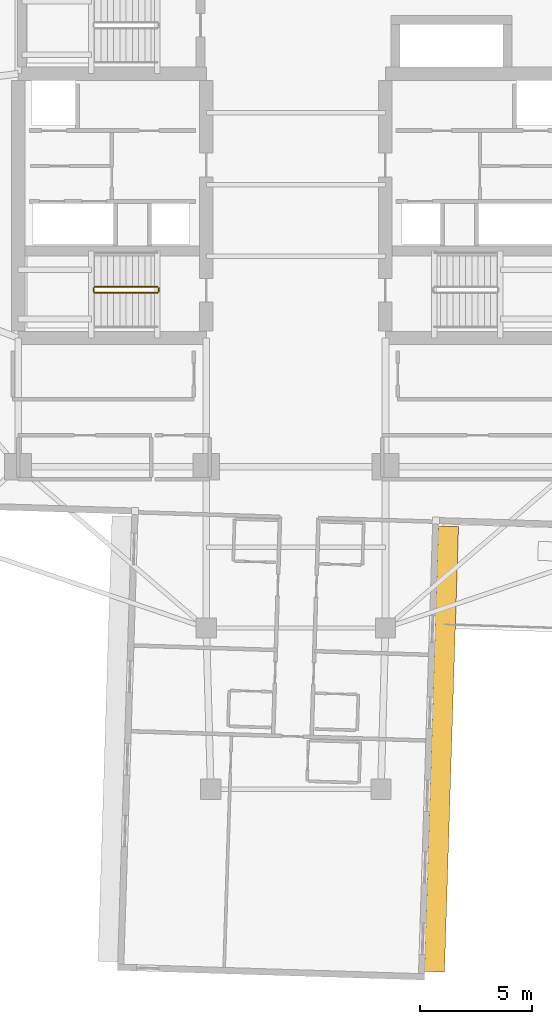
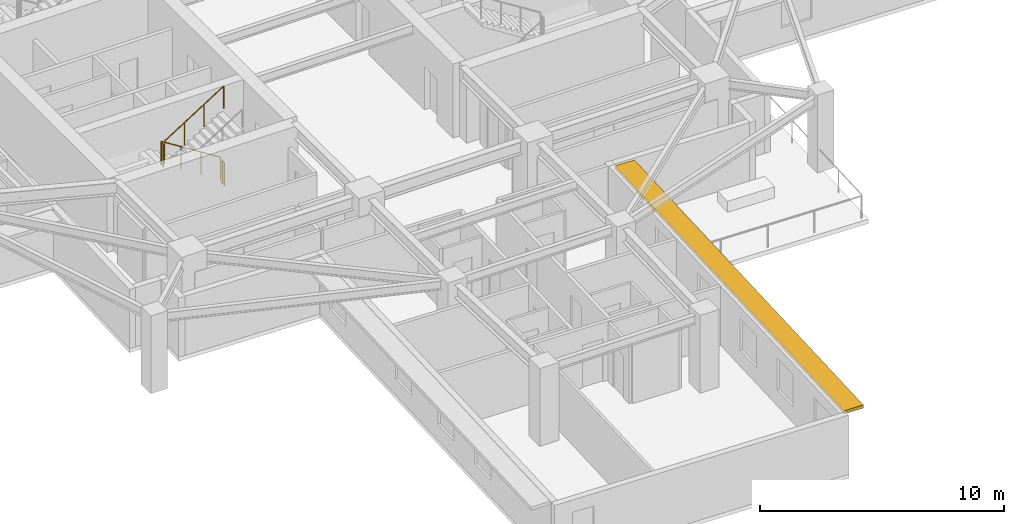
# One storey, part 11 of 14: 4 railings, 1 shading device.
"""IFC4 building model written with IfcOpenShell, lengths in metres."""

from ifc_helpers import new_model, si_unit, direction, frame, origin, origin_2d, place, context, subcontext, project, spatial, rectangle, circle, extrude, material, layer, layer_set, type_object, element, save


model = new_model("IFC4")

# Units and contexts
model_context = context("Model", 3, precision=1e-05, world=origin(), true_north=direction((0.0, 1.0)))
body_context = subcontext(model_context, "Body", "Model", "MODEL_VIEW")
ifc_project = project(units=[si_unit("LENGTHUNIT", "METRE"), si_unit("AREAUNIT", "SQUARE_METRE"), si_unit("VOLUMEUNIT", "CUBIC_METRE"), si_unit("PLANEANGLEUNIT", "RADIAN"), si_unit("MASSUNIT", "GRAM", prefix="KILO")], contexts=[model_context])

# Site, building, storey
site_placement = place(None, origin())
site = spatial("IfcSite", under=ifc_project, at=site_placement, CompositionType="ELEMENT")
building_placement = place(site_placement, origin())
building = spatial("IfcBuilding", under=site, at=building_placement, Name="Qingluan Cross Belvedere", CompositionType="ELEMENT")
storey_placement = place(building_placement, frame((0.0, 0.0, 176.10009765625)))
storey = spatial("IfcBuildingStorey", under=building, at=storey_placement, Name="L44", CompositionType="ELEMENT", Elevation=176.10009765625)

# Shading device
ifc_material_1 = material(Name="Precast concrete C45", Category="concrete")
ifc_layer = layer(ifc_material_1, 0.159912109375, Name="ConcreteSunshadeBand_900")
ifc_layer_set = layer_set([ifc_layer], Name="Precast concrete C45")
shading_device_type = type_object("IfcShadingDeviceType", Name="ConcreteSunshadeBand_900", PredefinedType="USERDEFINED", material=ifc_layer_set)
shading_device_placement = place(storey_placement, frame((6.50146484375, -25.206787109375, 2.7900390625), z_axis=(0.0, 0.0, 1.0), x_axis=(0.031407934627, 0.999506649124, 0.0)))
element("IfcShadingDevice", 1, at=shading_device_placement, inside=storey, type_object=shading_device_type, Name="Concrete SUNSHADE L44-SB", ObjectType="SUNSHADE", PredefinedType="USERDEFINED", context=body_context, shape_type="SweptSolid", body=[
    extrude(rectangle(XDim=19.89990234375, YDim=0.89990234375, at=origin_2d()), origin(), (0.0, 0.0, 1.0), 0.159912109375),
])

# Railings
ifc_material_2 = material(Name="Painted steel stair well guard", Category="steel")
railing_type = type_object("IfcRailingType", Name="StairWellGuard_1150", PredefinedType="BALUSTRADE", material=ifc_material_2)
railing_1_placement = place(storey_placement, frame((-6.179931640625, -4.570068359375, 0.17724609375)))
element("IfcRailing", 2, at=railing_1_placement, inside=storey, type_object=railing_type, Name="L44 ST1 stair guard 1", PredefinedType="BALUSTRADE", context=body_context, shape_type="SweptSolid", body=[
    extrude(circle(Radius=0.02392578125, at=origin_2d()), frame((0.0, 0.0, 1.1259765625), z_axis=(-0.844908973607, 0.0, 0.534910110503), x_axis=(0.0, -1.0, 0.0)), (0.0, 0.0, 1.0), 3.31396484375),
    extrude(circle(Radius=0.02099609375, at=origin_2d()), origin(), (0.0, 0.0, 1.0), 1.101806640625),
    extrude(circle(Radius=0.02099609375, at=origin_2d()), frame((-0.933349609375, 0.0, 0.5908203125)), (0.0, 0.0, 1.0), 1.101806640625),
    extrude(circle(Radius=0.02099609375, at=origin_2d()), frame((-1.86669921875, 0.0, 1.181884765625)), (0.0, 0.0, 1.0), 1.101806640625),
    extrude(circle(Radius=0.02099609375, at=origin_2d()), frame((-2.800048828125, 0.0, 1.772705078125)), (0.0, 0.0, 1.0), 1.101806640625),
])
railing_2_placement = place(storey_placement, frame((-9.030029296875, -4.6201171875, 1.949951171875)))
element("IfcRailing", 3, at=railing_2_placement, inside=storey, type_object=railing_type, Name="L44 ST1 stair guard 2", PredefinedType="BALUSTRADE", context=body_context, shape_type="SweptSolid", body=[
    extrude(circle(Radius=0.02392578125, at=origin_2d()), frame((0.0, 0.0, 1.1259765625), z_axis=(0.0, -1.0, 0.0), x_axis=(1.0, 0.0, 0.0)), (0.0, 0.0, 1.0), 0.159912109375),
    extrude(circle(Radius=0.02099609375, at=origin_2d()), origin(), (0.0, 0.0, 1.0), 1.101806640625),
    extrude(circle(Radius=0.02099609375, at=origin_2d()), frame((0.0, -0.159912109375, 0.0)), (0.0, 0.0, 1.0), 1.101806640625),
])
railing_3_placement = place(storey_placement, frame((-8.97998046875, -4.830078125, 2.127197265625)))
element("IfcRailing", 4, at=railing_3_placement, inside=storey, type_object=railing_type, Name="L44 ST1 stair guard 3", PredefinedType="BALUSTRADE", context=body_context, shape_type="SweptSolid", body=[
    extrude(circle(Radius=0.02392578125, at=origin_2d()), frame((0.0, 0.0, 1.1259765625), z_axis=(0.844908973607, 0.0, 0.534910110503), x_axis=(0.0, 1.0, 0.0)), (0.0, 0.0, 1.0), 3.31396484375),
    extrude(circle(Radius=0.02099609375, at=origin_2d()), origin(), (0.0, 0.0, 1.0), 1.101806640625),
    extrude(circle(Radius=0.02099609375, at=origin_2d()), frame((0.933349609375, 0.0, 0.5908203125)), (0.0, 0.0, 1.0), 1.101806640625),
    extrude(circle(Radius=0.02099609375, at=origin_2d()), frame((1.86669921875, 0.0, 1.181884765625)), (0.0, 0.0, 1.0), 1.101806640625),
    extrude(circle(Radius=0.02099609375, at=origin_2d()), frame((2.800048828125, 0.0, 1.772705078125)), (0.0, 0.0, 1.0), 1.101806640625),
])
railing_4_placement = place(storey_placement, frame((-6.1298828125, -4.6201171875, 0.0)))
element("IfcRailing", 5, at=railing_4_placement, inside=storey, type_object=railing_type, Name="L44 ST1 stair guard 4", PredefinedType="BALUSTRADE", context=body_context, shape_type="SweptSolid", body=[
    extrude(circle(Radius=0.02392578125, at=origin_2d()), frame((0.0, 0.0, 1.1259765625), z_axis=(0.0, -1.0, 0.0), x_axis=(1.0, 0.0, 0.0)), (0.0, 0.0, 1.0), 0.159912109375),
    extrude(circle(Radius=0.02099609375, at=origin_2d()), origin(), (0.0, 0.0, 1.0), 1.101806640625),
    extrude(circle(Radius=0.02099609375, at=origin_2d()), frame((0.0, -0.159912109375, 0.0)), (0.0, 0.0, 1.0), 1.101806640625),
])

save(model, "model.ifc")
